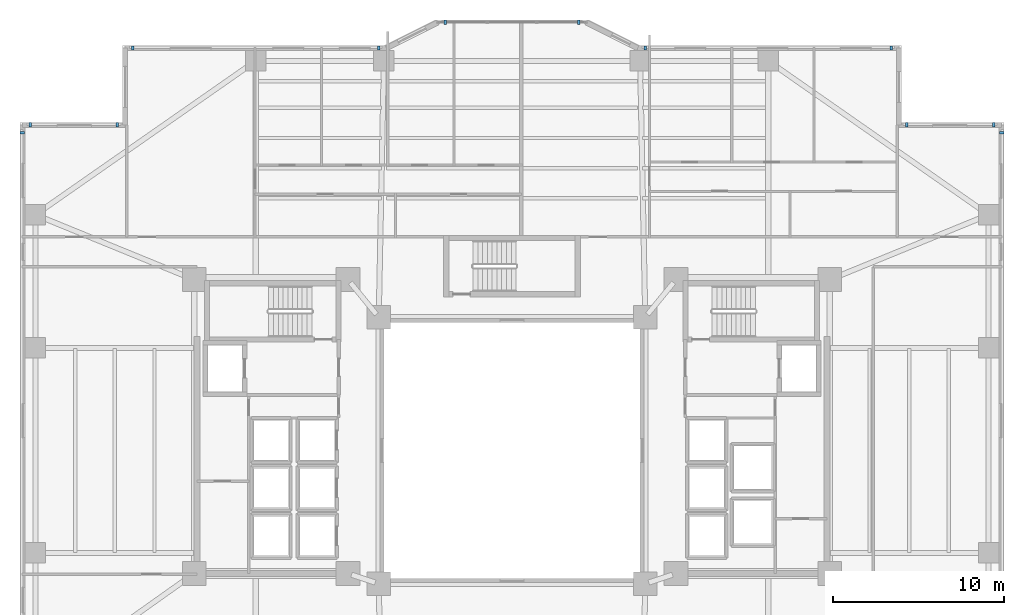
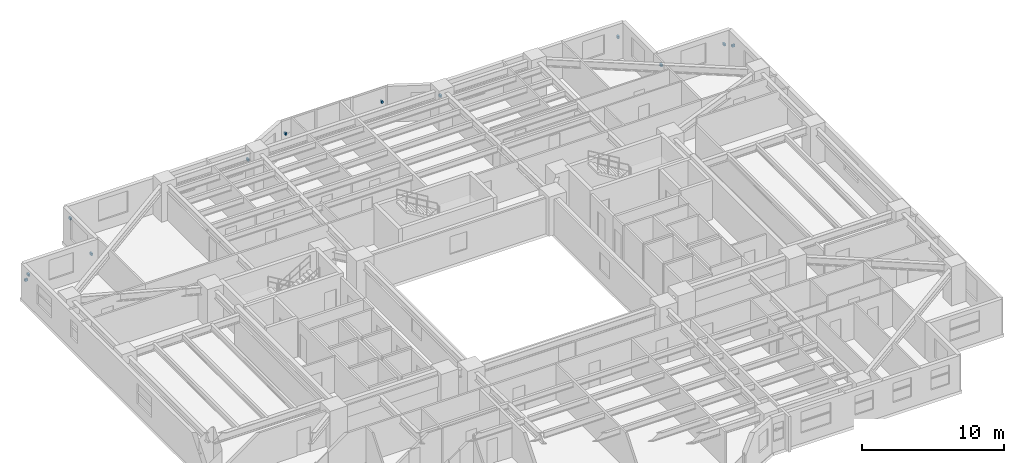
# One storey, part 17 of 20: 12 discrete accessories.
"""IFC4 building model written with IfcOpenShell, lengths in metres."""

from ifc_helpers import new_model, si_unit, direction, frame, origin, origin_2d, place, context, subcontext, project, spatial, rectangle, extrude, material, type_object, element, save


model = new_model("IFC4")

# Units and contexts
model_context = context("Model", 3, precision=1e-05, world=origin(), true_north=direction((0.0, 1.0)))
body_context = subcontext(model_context, "Body", "Model", "MODEL_VIEW")
ifc_project = project(units=[si_unit("LENGTHUNIT", "METRE"), si_unit("AREAUNIT", "SQUARE_METRE"), si_unit("VOLUMEUNIT", "CUBIC_METRE"), si_unit("PLANEANGLEUNIT", "RADIAN"), si_unit("MASSUNIT", "GRAM", prefix="KILO")], contexts=[model_context])

# Site, building, storey
site_placement = place(None, origin())
site = spatial("IfcSite", under=ifc_project, at=site_placement, CompositionType="ELEMENT")
building_placement = place(site_placement, origin())
building = spatial("IfcBuilding", under=site, at=building_placement, Name="Tarnavaz Court Tower", CompositionType="ELEMENT")
storey_placement = place(building_placement, frame((0.0, 0.0, 60.85009765625)))
storey = spatial("IfcBuildingStorey", under=building, at=storey_placement, Name="L16", CompositionType="ELEMENT", Elevation=60.85009765625)

# Discrete accessories
ifc_material = material(Name="Anodised Aluminium 6063-T6", Category="aluminium")
discrete_accessory_type = type_object("IfcDiscreteAccessoryType", Name="DA-BRKT-ALU", PredefinedType="BRACKET", material=ifc_material)
for number, where, z_axis, x_axis, name in (
    (1, (-28.669921875, 18.60009765625, 1.75), (0.0, 0.0, 1.0), (0.0, 1.0, 0.0), "L16 Baguette Outrigger Bracket FBG02-2"),
    (2, (-28.199951171875, 19.070068359375, 1.75), (0.0, 0.0, 1.0), (1.0, 0.0, 0.0), "L16 Baguette Outrigger Bracket FBG03-1"),
    (3, (-23.10009765625, 19.070068359375, 1.75), (0.0, 0.0, 1.0), (1.0, 0.0, 0.0), "L16 Baguette Outrigger Bracket FBG03-2"),
    (4, (-22.199951171875, 23.570068359375, 1.75), (0.0, 0.0, 1.0), (1.0, 0.0, 0.0), "L16 Baguette Outrigger Bracket FBG05-1"),
    (5, (-7.800048828125, 23.570068359375, 1.75), (0.0, 0.0, 1.0), (1.0, 0.0, 0.0), "L16 Baguette Outrigger Bracket FBG05-2"),
    (6, (-3.89990234375, 25.070068359375, 1.69970703125), (0.0, 0.0, 1.0), (1.0, 0.0, 0.0), "L16 Baguette Outrigger Bracket PBG7-1"),
    (7, (3.89990234375, 25.070068359375, 1.69970703125), (0.0, 0.0, 1.0), (1.0, 0.0, 0.0), "L16 Baguette Outrigger Bracket PBG7-2"),
    (8, (7.800048828125, 23.570068359375, 1.75), (0.0, 0.0, 1.0), (1.0, 0.0, 0.0), "L16 Baguette Outrigger Bracket FBG09-1"),
    (9, (22.199951171875, 23.570068359375, 1.75), (0.0, 0.0, 1.0), (1.0, 0.0, 0.0), "L16 Baguette Outrigger Bracket FBG09-2"),
    (10, (23.10009765625, 19.070068359375, 1.75), (0.0, 0.0, 1.0), (1.0, 0.0, 0.0), "L16 Baguette Outrigger Bracket FBG11-1"),
    (11, (28.199951171875, 19.070068359375, 1.75), (0.0, 0.0, 1.0), (1.0, 0.0, 0.0), "L16 Baguette Outrigger Bracket FBG11-2"),
    (12, (28.669921875, 18.60009765625, 1.75), (0.0, 0.0, 1.0), (0.0, -1.0, 0.0), "L16 Baguette Outrigger Bracket FBG12-1"),
):
    element("IfcDiscreteAccessory", number, at=place(storey_placement, frame(where, z_axis=z_axis, x_axis=x_axis)), inside=storey, type_object=discrete_accessory_type, Name=name, PredefinedType="BRACKET", context=body_context, shape_type="SweptSolid", body=[
        extrude(rectangle(XDim=0.139892578125, YDim=0.239990234375, at=origin_2d()), origin(), (0.0, 0.0, 1.0), 0.199951171875),
    ])

save(model, "model.ifc")
